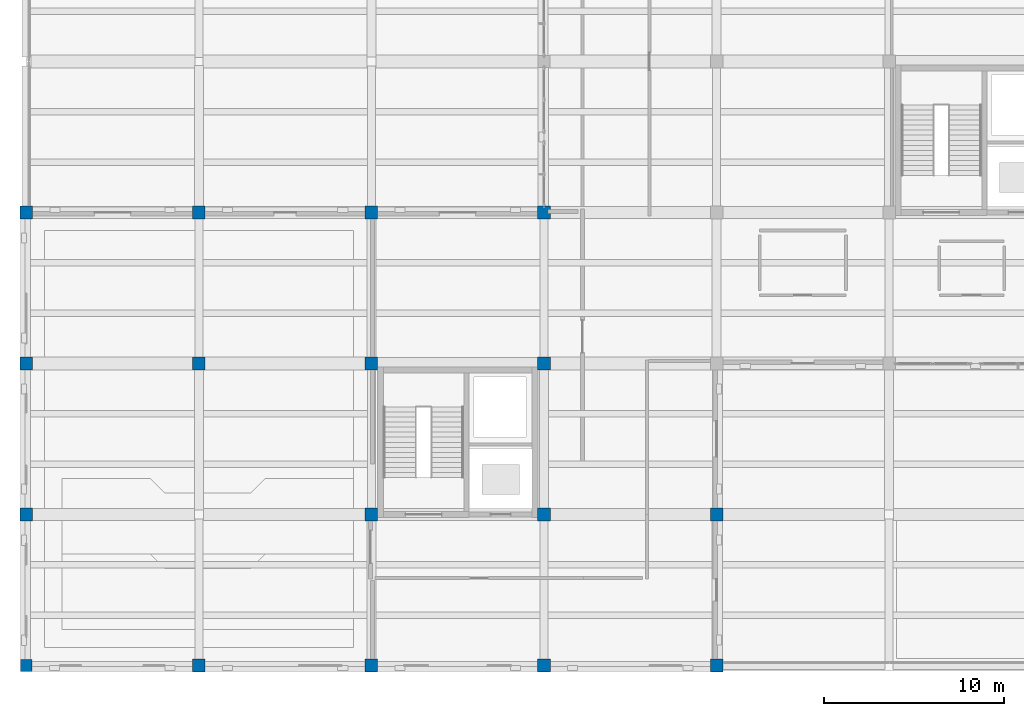
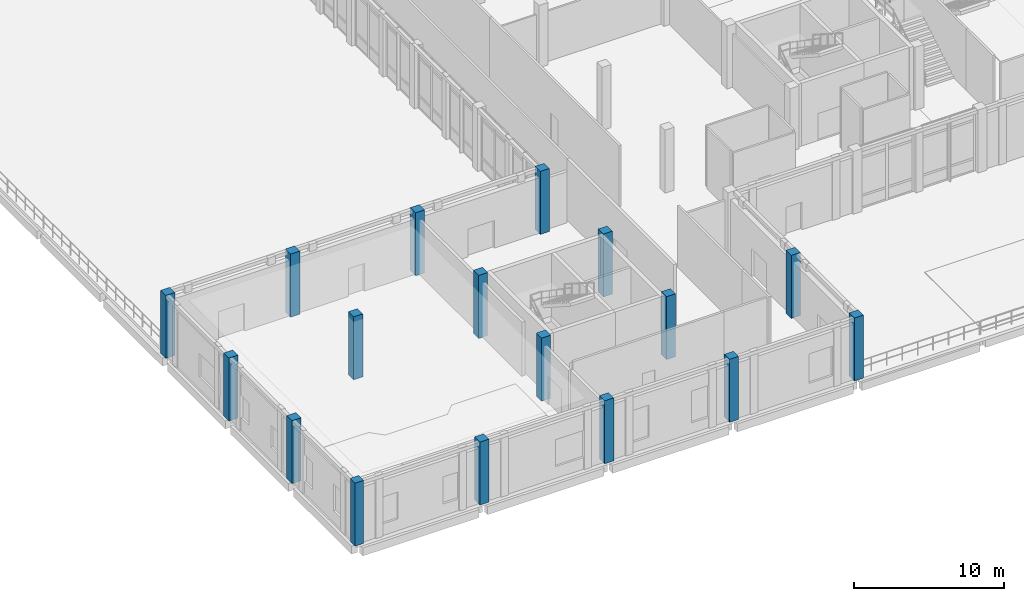
# One storey, part 1 of 71: 17 columns.
"""IFC4 building model written with IfcOpenShell, lengths in metres."""

from ifc_helpers import new_model, si_unit, direction, frame, origin, origin_with_axes, origin_2d, place, context, subcontext, project, spatial, rectangle, extrude, material, material_profile, profile_set, type_object, element, save


model = new_model("IFC4")

# Units and contexts
model_context = context("Model", 3, precision=1e-05, world=origin(), true_north=direction((0.0, 1.0)))
body_context = subcontext(model_context, "Body", "Model", "MODEL_VIEW")
ifc_project = project(units=[si_unit("LENGTHUNIT", "METRE"), si_unit("AREAUNIT", "SQUARE_METRE"), si_unit("VOLUMEUNIT", "CUBIC_METRE"), si_unit("PLANEANGLEUNIT", "RADIAN"), si_unit("MASSUNIT", "GRAM", prefix="KILO")], contexts=[model_context])

# Site, building, storey
site_placement = place(None, origin())
site = spatial("IfcSite", under=ifc_project, at=site_placement, CompositionType="ELEMENT")
building_placement = place(site_placement, origin())
building = spatial("IfcBuilding", under=site, at=building_placement, Name="Lornevale Opera House", CompositionType="ELEMENT")
storey_placement = place(building_placement, origin())
storey = spatial("IfcBuildingStorey", under=building, at=storey_placement, Name="L01", CompositionType="ELEMENT", Elevation=0.0)

# Columns
ifc_material_1 = material(Name="Concrete 40 MPa (CSA A23.1 C-1)", Category="concrete")
ifc_material_profile_1 = material_profile(ifc_material_1, rectangle(XDim=0.699951171875, YDim=0.699951171875, at=origin_2d()), Name="RC700x700")
ifc_profile_set_1 = profile_set([ifc_material_profile_1], Name="Concrete 40 MPa (CSA A23.1 C-1)")
column_type_1 = type_object("IfcColumnType", Name="Concrete Column 700x700", PredefinedType="COLUMN", material=ifc_profile_set_1)
for number, where, z_axis, x_axis, name in (
    (1, (0.0, 8.39990234375, 0.0), (0.0, 0.0, 1.0), (1.0, 0.0, 0.0), "Concrete Column 700x700 0008"),
    (2, (0.0, 16.800048828125, 0.0), (0.0, 0.0, 1.0), (1.0, 0.0, 0.0), "Concrete Column 700x700 0013"),
    (3, (0.0, 25.199951171875, 0.0), (0.0, 0.0, 1.0), (1.0, 0.0, 0.0), "Concrete Column 700x700 0018"),
    (4, (9.60009765625, 0.0, 0.0), (0.0, 0.0, 1.0), (1.0, 0.0, 0.0), "Concrete Column 700x700 0056"),
    (5, (9.60009765625, 16.800048828125, 0.0), (0.0, 0.0, 1.0), (1.0, 0.0, 0.0), "Concrete Column 700x700 0063"),
    (6, (9.60009765625, 25.199951171875, 0.0), (0.0, 0.0, 1.0), (1.0, 0.0, 0.0), "Concrete Column 700x700 0068"),
    (7, (19.199951171875, 0.0, 0.0), (0.0, 0.0, 1.0), (1.0, 0.0, 0.0), "Concrete Column 700x700 0103"),
    (8, (19.199951171875, 8.39990234375, 0.0), (0.0, 0.0, 1.0), (1.0, 0.0, 0.0), "Concrete Column 700x700 0108"),
    (9, (19.199951171875, 16.800048828125, 0.0), (0.0, 0.0, 1.0), (1.0, 0.0, 0.0), "Concrete Column 700x700 0113"),
    (10, (19.199951171875, 25.199951171875, 0.0), (0.0, 0.0, 1.0), (1.0, 0.0, 0.0), "Concrete Column 700x700 0118"),
    (11, (28.800048828125, 0.0, 0.0), (0.0, 0.0, 1.0), (1.0, 0.0, 0.0), "Concrete Column 700x700 0156"),
    (12, (28.800048828125, 8.39990234375, 0.0), (0.0, 0.0, 1.0), (1.0, 0.0, 0.0), "Concrete Column 700x700 0161"),
    (13, (28.800048828125, 16.800048828125, 0.0), (0.0, 0.0, 1.0), (1.0, 0.0, 0.0), "Concrete Column 700x700 0166"),
    (14, (28.800048828125, 25.199951171875, 0.0), (0.0, 0.0, 1.0), (1.0, 0.0, 0.0), "Concrete Column 700x700 0171"),
    (15, (38.39990234375, 0.0, 0.0), (0.0, 0.0, 1.0), (1.0, 0.0, 0.0), "Concrete Column 700x700 0217"),
    (16, (38.39990234375, 8.39990234375, 0.0), (0.0, 0.0, 1.0), (1.0, 0.0, 0.0), "Concrete Column 700x700 0222"),
):
    element("IfcColumn", number, at=place(storey_placement, frame(where, z_axis=z_axis, x_axis=x_axis)), inside=storey, type_object=column_type_1, Name=name, PredefinedType="COLUMN", context=body_context, shape_type="SweptSolid", body=[
        extrude(rectangle(XDim=0.699951171875, YDim=0.699951171875, at=origin_2d()), origin(), (0.0, 0.0, 1.0), 5.1201171875),
    ])
ifc_material_2 = material(Name="Precast Concrete 40 MPa (CSA A23.1 C-1)", Category="concrete")
ifc_material_profile_2 = material_profile(ifc_material_2, rectangle(XDim=0.64990234375, YDim=0.64990234375, at=origin_2d()), Name="RC650x650")
ifc_profile_set_2 = profile_set([ifc_material_profile_2], Name="Precast Concrete 40 MPa (CSA A23.1 C-1)")
column_type_2 = type_object("IfcColumnType", Name="Postmodern Sandstone Pilaster 650x650", PredefinedType="PILASTER", material=ifc_profile_set_2)
column_placement = place(storey_placement, origin_with_axes())
element("IfcColumn", 17, at=column_placement, inside=storey, type_object=column_type_2, Name="Postmodern Sandstone Pilaster 650x650 0003", PredefinedType="PILASTER", context=body_context, shape_type="SweptSolid", body=[
    extrude(rectangle(XDim=0.64990234375, YDim=0.64990234375, at=origin_2d()), origin(), (0.0, 0.0, 1.0), 5.1201171875),
])

save(model, "model.ifc")
